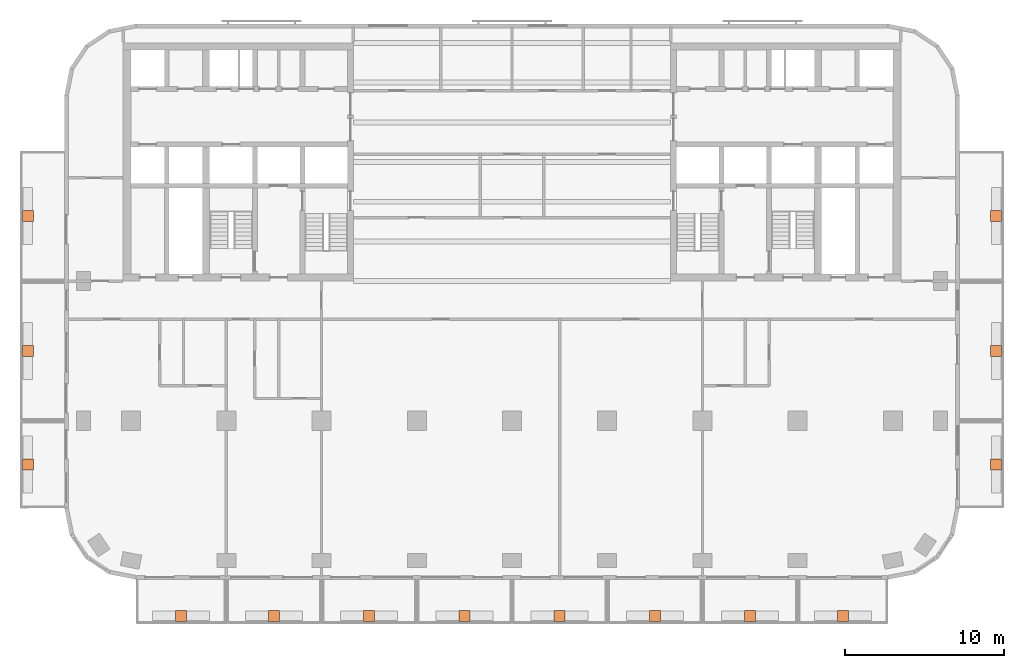
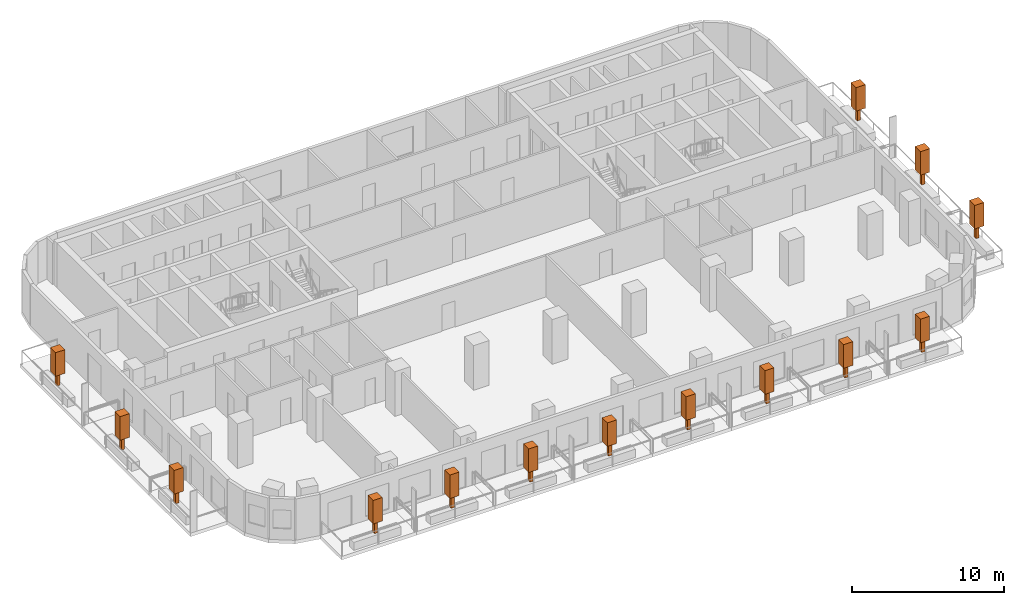
# One storey, part 11 of 11: 14 geographic elements.
"""IFC4 building model written with IfcOpenShell, lengths in metres."""

from ifc_helpers import new_model, si_unit, direction, frame, origin, origin_2d, place, context, subcontext, project, spatial, rectangle, extrude, material, element, save


model = new_model("IFC4")

# Units and contexts
model_context = context("Model", 3, precision=1e-05, world=origin(), true_north=direction((0.0, 1.0)))
body_context = subcontext(model_context, "Body", "Model", "MODEL_VIEW")
ifc_project = project(units=[si_unit("LENGTHUNIT", "METRE"), si_unit("AREAUNIT", "SQUARE_METRE"), si_unit("VOLUMEUNIT", "CUBIC_METRE"), si_unit("PLANEANGLEUNIT", "RADIAN"), si_unit("MASSUNIT", "GRAM", prefix="KILO")], contexts=[model_context])

# Site, building, storey
site_placement = place(None, origin())
site = spatial("IfcSite", under=ifc_project, at=site_placement, CompositionType="ELEMENT")
building_placement = place(site_placement, origin())
building = spatial("IfcBuilding", under=site, at=building_placement, Name="Torana Hotel and Residences", CompositionType="ELEMENT")
storey_placement = place(building_placement, frame((0.0, 0.0, 166.800048828125)))
storey = spatial("IfcBuildingStorey", under=building, at=storey_placement, Name="L43", CompositionType="ELEMENT", Elevation=166.800048828125)

# Geographic elements
ifc_material = material(Name="Foliage", Category="planting")
for number, where, z_axis, x_axis, name in (
    (1, (-20.85009765625, -36.10009765625, 0.64990234375), (0.0, 0.0, 1.0), (1.0, 0.0, 0.0), "Tree 01"),
    (2, (-15.0, -36.10009765625, 0.64990234375), (0.0, 0.0, 1.0), (1.0, 0.0, 0.0), "Tree 02"),
    (3, (-9.0, -36.10009765625, 0.64990234375), (0.0, 0.0, 1.0), (1.0, 0.0, 0.0), "Tree 03"),
    (4, (-3.0, -36.10009765625, 0.64990234375), (0.0, 0.0, 1.0), (1.0, 0.0, 0.0), "Tree 04"),
    (5, (3.0, -36.10009765625, 0.64990234375), (0.0, 0.0, 1.0), (1.0, 0.0, 0.0), "Tree 05"),
    (6, (9.0, -36.10009765625, 0.64990234375), (0.0, 0.0, 1.0), (1.0, 0.0, 0.0), "Tree 06"),
    (7, (15.0, -36.10009765625, 0.64990234375), (0.0, 0.0, 1.0), (1.0, 0.0, 0.0), "Tree 07"),
    (8, (20.85009765625, -36.10009765625, 0.64990234375), (0.0, 0.0, 1.0), (1.0, 0.0, 0.0), "Tree 08"),
    (9, (-30.5, -26.550048828125, 0.64990234375), (0.0, 0.0, 1.0), (1.0, 0.0, 0.0), "Tree 09"),
    (10, (-30.5, -19.39990234375, 0.64990234375), (0.0, 0.0, 1.0), (1.0, 0.0, 0.0), "Tree 10"),
    (11, (-30.5, -10.89990234375, 0.64990234375), (0.0, 0.0, 1.0), (1.0, 0.0, 0.0), "Tree 11"),
    (12, (30.5, -26.550048828125, 0.64990234375), (0.0, 0.0, 1.0), (1.0, 0.0, 0.0), "Tree 12"),
    (13, (30.5, -19.39990234375, 0.64990234375), (0.0, 0.0, 1.0), (1.0, 0.0, 0.0), "Tree 13"),
    (14, (30.5, -10.89990234375, 0.64990234375), (0.0, 0.0, 1.0), (1.0, 0.0, 0.0), "Tree 14"),
):
    element("IfcGeographicElement", number, at=place(storey_placement, frame(where, z_axis=z_axis, x_axis=x_axis)), inside=storey, material=ifc_material, Name=name, ObjectType="TREE", PredefinedType="USERDEFINED", context=body_context, shape_type="SweptSolid", body=[
        extrude(rectangle(XDim=0.25, YDim=0.25, at=origin_2d()), origin(), (0.0, 0.0, 1.0), 1.0),
        extrude(rectangle(XDim=0.699951171875, YDim=0.699951171875, at=origin_2d()), frame((0.0, 0.0, 1.0)), (0.0, 0.0, 1.0), 1.89990234375),
    ])

save(model, "model.ifc")
